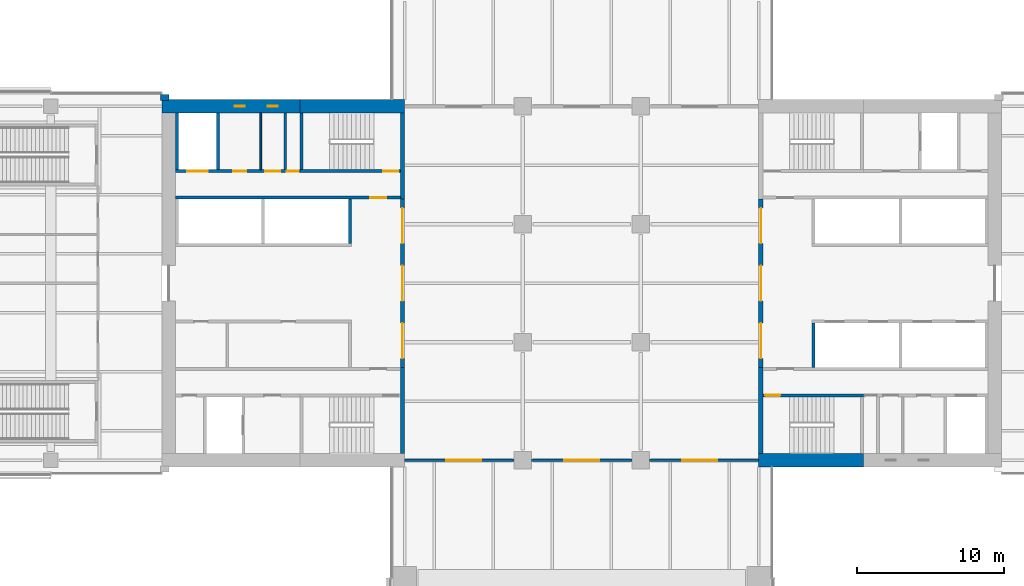
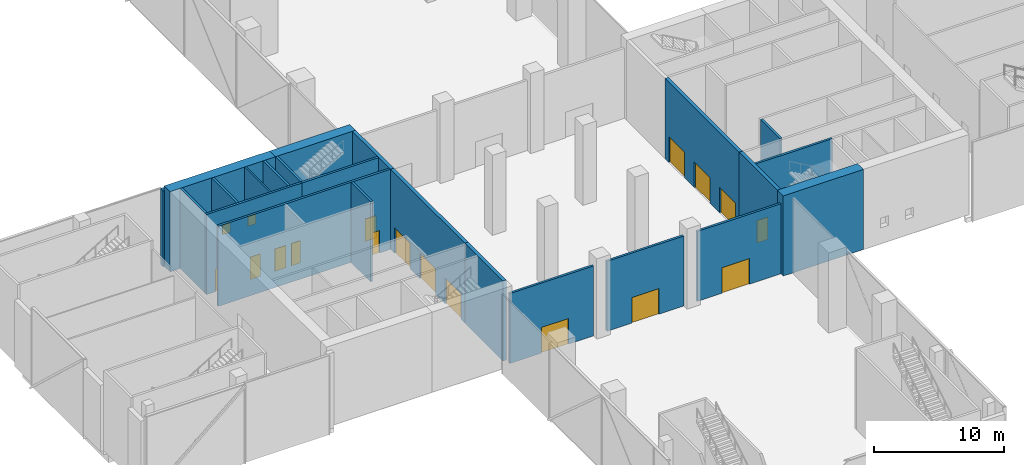
# One storey, part 15 of 25: 23 walls, 16 doors, 2 windows, 18 openings.
"""IFC4 building model written with IfcOpenShell, lengths in metres."""

from ifc_helpers import new_model, si_unit, direction, frame, frame_2d, origin, place, context, subcontext, project, spatial, rectangle, extrude, material, layer, layer_set, constituent, constituent_set, type_object, element, fill, save


model = new_model("IFC4")

# Units and contexts
model_context = context("Model", 3, precision=1e-05, world=origin(), true_north=direction((0.0, 1.0)))
body_context = subcontext(model_context, "Body", "Model", "MODEL_VIEW")
ifc_project = project(units=[si_unit("LENGTHUNIT", "METRE"), si_unit("AREAUNIT", "SQUARE_METRE"), si_unit("VOLUMEUNIT", "CUBIC_METRE"), si_unit("PLANEANGLEUNIT", "RADIAN"), si_unit("MASSUNIT", "GRAM", prefix="KILO")], contexts=[model_context])

# Site, building, storey
site_placement = place(None, origin())
site = spatial("IfcSite", under=ifc_project, at=site_placement, CompositionType="ELEMENT")
building_placement = place(site_placement, origin())
building = spatial("IfcBuilding", under=site, at=building_placement, Name="Crosswind Convention Tower", CompositionType="ELEMENT")
storey_placement = place(building_placement, frame((0.0, 0.0, 10.0)))
storey = spatial("IfcBuildingStorey", under=building, at=storey_placement, Name="L01", CompositionType="ELEMENT", Elevation=10.0)

# Wall
ifc_material_1 = material(Name="Concrete blockwork", Category="masonry")
ifc_layer_1 = layer(ifc_material_1, 0.199951171875)
ifc_layer_set_1 = layer_set([ifc_layer_1], Name="Blockwork partition wall 200")
wall_type_1 = type_object("IfcWallType", Name="Blockwork partition wall 200", PredefinedType="PARTITIONING", material=ifc_layer_set_1)
wall_1_placement = place(storey_placement, frame((104.89990234375, 111.550048828125, 0.0), z_axis=(0.0, 0.0, 1.0), x_axis=(0.0, -1.0, 0.0)))
element("IfcWall", 1, at=wall_1_placement, inside=storey, type_object=wall_type_1, Name="Wall MRSE W L01", PredefinedType="PARTITIONING", context=body_context, shape_type="SweptSolid", body=[
    extrude(rectangle(XDim=3.85009765625, YDim=0.199951171875, at=frame_2d((1.925048828125, 0.0))), origin(), (0.0, 0.0, 1.0), 7.5),
])

# Wall, openings, doors
ifc_material_2 = material(Name="Concrete C50/60", Category="concrete")
ifc_layer_2 = layer(ifc_material_2, 0.300048828125)
ifc_layer_set_2 = layer_set([ifc_layer_2], Name="Concrete C50/60")
wall_type_2 = type_object("IfcWallType", Name="Concrete inner core wall 300", PredefinedType="SHEAR", material=ifc_layer_set_2)
wall_2_placement = place(storey_placement, frame((137.14990234375, 94.300048828125, 0.0), z_axis=(0.0, 0.0, 1.0), x_axis=(0.0, 1.0, 0.0)))
wall_2 = element("IfcWall", 2, at=wall_2_placement, inside=storey, type_object=wall_type_2, Name="Wall SCR E L01", PredefinedType="SHEAR", context=body_context, shape_type="SweptSolid", body=[
    extrude(rectangle(XDim=11.39990234375, YDim=0.300048828125, at=frame_2d((5.699951171875, 0.0))), origin(), (0.0, 0.0, 1.0), 7.5),
])
opening_1_placement = place(wall_2_placement, frame((0.60009765625, 0.0, 0.0)))
opening_1 = element("IfcOpeningElement", 3, at=opening_1_placement, cuts=wall_2, Name="Opening D100", PredefinedType="OPENING", context=body_context, shape_type="SweptSolid", body=[
    extrude(rectangle(XDim=2.39990234375, YDim=2.39990234375, at=frame_2d((1.199951171875, 1.199951171875))), frame((0.0, 0.159912109375, 0.0), z_axis=(0.0, -1.0, 0.0), x_axis=(1.0, 0.0, 0.0)), (0.0, 0.0, 1.0), 0.320068359375),
])
opening_2_placement = place(wall_2_placement, frame((4.5, 0.0, 0.0)))
opening_2 = element("IfcOpeningElement", 4, at=opening_2_placement, cuts=wall_2, Name="Opening D100", PredefinedType="OPENING", context=body_context, shape_type="SweptSolid", body=[
    extrude(rectangle(XDim=2.39990234375, YDim=2.39990234375, at=frame_2d((1.199951171875, 1.199951171875))), frame((0.0, 0.159912109375, 0.0), z_axis=(0.0, -1.0, 0.0), x_axis=(1.0, 0.0, 0.0)), (0.0, 0.0, 1.0), 0.320068359375),
])
opening_3_placement = place(wall_2_placement, frame((8.39990234375, 0.0, 0.0)))
opening_3 = element("IfcOpeningElement", 5, at=opening_3_placement, cuts=wall_2, Name="Opening D100", PredefinedType="OPENING", context=body_context, shape_type="SweptSolid", body=[
    extrude(rectangle(XDim=2.39990234375, YDim=2.39990234375, at=frame_2d((1.199951171875, 1.199951171875))), frame((0.0, 0.159912109375, 0.0), z_axis=(0.0, -1.0, 0.0), x_axis=(1.0, 0.0, 0.0)), (0.0, 0.0, 1.0), 0.320068359375),
])
ifc_material_3 = material(Name="Steel fire door with glazed vision panels", Category="steel")
door_type_1 = type_object("IfcDoorType", Name="Fire-rated double door 2400x2400", OperationType="DOUBLE_DOOR_SINGLE_SWING", PredefinedType="DOOR", material=ifc_material_3)
door_1_placement = place(opening_1_placement, frame((2.39990234375, 0.0, 0.0), z_axis=(0.0, 0.0, 1.0), x_axis=(-1.0, 0.0, 0.0)))
door_1 = element("IfcDoor", 6, at=door_1_placement, inside=storey, type_object=door_type_1, Name="Lobby door 1 L01", ObjectType="D100", OperationType="DOUBLE_DOOR_SINGLE_SWING", OverallHeight=2.39990234375, OverallWidth=2.39990234375, PredefinedType="DOOR", context=body_context, shape_type="SweptSolid", body=[
    extrude(rectangle(XDim=2.39990234375, YDim=2.39990234375, at=frame_2d((1.199951171875, 1.199951171875))), frame((0.0, 0.02490234375, 0.0), z_axis=(0.0, -1.0, 0.0), x_axis=(1.0, 0.0, 0.0)), (0.0, 0.0, 1.0), 0.050048828125),
])
fill(opening_1, door_1)
door_2_placement = place(opening_2_placement, frame((2.39990234375, 0.0, 0.0), z_axis=(0.0, 0.0, 1.0), x_axis=(-1.0, 0.0, 0.0)))
door_2 = element("IfcDoor", 7, at=door_2_placement, inside=storey, type_object=door_type_1, Name="Lobby door 2 L01", ObjectType="D100", OperationType="DOUBLE_DOOR_SINGLE_SWING", OverallHeight=2.39990234375, OverallWidth=2.39990234375, PredefinedType="DOOR", context=body_context, shape_type="SweptSolid", body=[
    extrude(rectangle(XDim=2.39990234375, YDim=2.39990234375, at=frame_2d((1.199951171875, 1.199951171875))), frame((0.0, 0.02490234375, 0.0), z_axis=(0.0, -1.0, 0.0), x_axis=(1.0, 0.0, 0.0)), (0.0, 0.0, 1.0), 0.050048828125),
])
fill(opening_2, door_2)
door_3_placement = place(opening_3_placement, frame((2.39990234375, 0.0, 0.0), z_axis=(0.0, 0.0, 1.0), x_axis=(-1.0, 0.0, 0.0)))
door_3 = element("IfcDoor", 8, at=door_3_placement, inside=storey, type_object=door_type_1, Name="Lobby door 3 L01", ObjectType="D100", OperationType="DOUBLE_DOOR_SINGLE_SWING", OverallHeight=2.39990234375, OverallWidth=2.39990234375, PredefinedType="DOOR", context=body_context, shape_type="SweptSolid", body=[
    extrude(rectangle(XDim=2.39990234375, YDim=2.39990234375, at=frame_2d((1.199951171875, 1.199951171875))), frame((0.0, 0.02490234375, 0.0), z_axis=(0.0, -1.0, 0.0), x_axis=(1.0, 0.0, 0.0)), (0.0, 0.0, 1.0), 0.050048828125),
])
fill(opening_3, door_3)

# Wall
wall_3_placement = place(storey_placement, frame((137.14990234375, 88.449951171875, 0.0), z_axis=(0.0, 0.0, 1.0), x_axis=(0.0, 1.0, 0.0)))
element("IfcWall", 9, at=wall_3_placement, inside=storey, type_object=wall_type_2, Name="Wall EM E L01", PredefinedType="SHEAR", context=body_context, shape_type="SweptSolid", body=[
    extrude(rectangle(XDim=5.85009765625, YDim=0.300048828125, at=frame_2d((2.925048828125, 0.0))), origin(), (0.0, 0.0, 1.0), 7.5),
])

# Wall, openings, doors
wall_4_placement = place(storey_placement, frame((112.85009765625, 105.699951171875, 0.0), z_axis=(0.0, 0.0, 1.0), x_axis=(0.0, -1.0, 0.0)))
wall_4 = element("IfcWall", 10, at=wall_4_placement, inside=storey, type_object=wall_type_2, Name="Wall SCR W L01", PredefinedType="SHEAR", context=body_context, shape_type="SweptSolid", body=[
    extrude(rectangle(XDim=11.39990234375, YDim=0.300048828125, at=frame_2d((5.699951171875, 0.0))), origin(), (0.0, 0.0, 1.0), 7.5),
])
opening_4_placement = place(wall_4_placement, frame((0.60009765625, 0.0, 0.0)))
opening_4 = element("IfcOpeningElement", 11, at=opening_4_placement, cuts=wall_4, Name="Opening D100", PredefinedType="OPENING", context=body_context, shape_type="SweptSolid", body=[
    extrude(rectangle(XDim=2.39990234375, YDim=2.39990234375, at=frame_2d((1.199951171875, 1.199951171875))), frame((0.0, 0.159912109375, 0.0), z_axis=(0.0, -1.0, 0.0), x_axis=(1.0, 0.0, 0.0)), (0.0, 0.0, 1.0), 0.320068359375),
])
opening_5_placement = place(wall_4_placement, frame((4.5, 0.0, 0.0)))
opening_5 = element("IfcOpeningElement", 12, at=opening_5_placement, cuts=wall_4, Name="Opening D100", PredefinedType="OPENING", context=body_context, shape_type="SweptSolid", body=[
    extrude(rectangle(XDim=2.39990234375, YDim=2.39990234375, at=frame_2d((1.199951171875, 1.199951171875))), frame((0.0, 0.159912109375, 0.0), z_axis=(0.0, -1.0, 0.0), x_axis=(1.0, 0.0, 0.0)), (0.0, 0.0, 1.0), 0.320068359375),
])
opening_6_placement = place(wall_4_placement, frame((8.39990234375, 0.0, 0.0)))
opening_6 = element("IfcOpeningElement", 13, at=opening_6_placement, cuts=wall_4, Name="Opening D100", PredefinedType="OPENING", context=body_context, shape_type="SweptSolid", body=[
    extrude(rectangle(XDim=2.39990234375, YDim=2.39990234375, at=frame_2d((1.199951171875, 1.199951171875))), frame((0.0, 0.159912109375, 0.0), z_axis=(0.0, -1.0, 0.0), x_axis=(1.0, 0.0, 0.0)), (0.0, 0.0, 1.0), 0.320068359375),
])
door_4_placement = place(opening_4_placement, frame((2.39990234375, 0.0, 0.0), z_axis=(0.0, 0.0, 1.0), x_axis=(-1.0, 0.0, 0.0)))
door_4 = element("IfcDoor", 14, at=door_4_placement, inside=storey, type_object=door_type_1, Name="Lobby door 1 L01", ObjectType="D100", OperationType="DOUBLE_DOOR_SINGLE_SWING", OverallHeight=2.39990234375, OverallWidth=2.39990234375, PredefinedType="DOOR", context=body_context, shape_type="SweptSolid", body=[
    extrude(rectangle(XDim=2.39990234375, YDim=2.39990234375, at=frame_2d((1.199951171875, 1.199951171875))), frame((0.0, 0.02490234375, 0.0), z_axis=(0.0, -1.0, 0.0), x_axis=(1.0, 0.0, 0.0)), (0.0, 0.0, 1.0), 0.050048828125),
])
fill(opening_4, door_4)
door_5_placement = place(opening_5_placement, frame((2.39990234375, 0.0, 0.0), z_axis=(0.0, 0.0, 1.0), x_axis=(-1.0, 0.0, 0.0)))
door_5 = element("IfcDoor", 15, at=door_5_placement, inside=storey, type_object=door_type_1, Name="Lobby door 2 L01", ObjectType="D100", OperationType="DOUBLE_DOOR_SINGLE_SWING", OverallHeight=2.39990234375, OverallWidth=2.39990234375, PredefinedType="DOOR", context=body_context, shape_type="SweptSolid", body=[
    extrude(rectangle(XDim=2.39990234375, YDim=2.39990234375, at=frame_2d((1.199951171875, 1.199951171875))), frame((0.0, 0.02490234375, 0.0), z_axis=(0.0, -1.0, 0.0), x_axis=(1.0, 0.0, 0.0)), (0.0, 0.0, 1.0), 0.050048828125),
])
fill(opening_5, door_5)
door_6_placement = place(opening_6_placement, frame((2.39990234375, 0.0, 0.0), z_axis=(0.0, 0.0, 1.0), x_axis=(-1.0, 0.0, 0.0)))
door_6 = element("IfcDoor", 16, at=door_6_placement, inside=storey, type_object=door_type_1, Name="Lobby door 3 L01", ObjectType="D100", OperationType="DOUBLE_DOOR_SINGLE_SWING", OverallHeight=2.39990234375, OverallWidth=2.39990234375, PredefinedType="DOOR", context=body_context, shape_type="SweptSolid", body=[
    extrude(rectangle(XDim=2.39990234375, YDim=2.39990234375, at=frame_2d((1.199951171875, 1.199951171875))), frame((0.0, 0.02490234375, 0.0), z_axis=(0.0, -1.0, 0.0), x_axis=(1.0, 0.0, 0.0)), (0.0, 0.0, 1.0), 0.050048828125),
])
fill(opening_6, door_6)

# Walls
for number, where, z_axis, x_axis, name in (
    (17, (112.85009765625, 94.300048828125, 0.0), (0.0, 0.0, 1.0), (0.0, -1.0, 0.0), "Wall EP W L01"),
    (18, (112.85009765625, 111.550048828125, 0.0), (0.0, 0.0, 1.0), (0.0, -1.0, 0.0), "Wall EM W L01"),
):
    element("IfcWall", number, at=place(storey_placement, frame(where, z_axis=z_axis, x_axis=x_axis)), inside=storey, type_object=wall_type_2, Name=name, PredefinedType="SHEAR", context=body_context, shape_type="SweptSolid", body=[
        extrude(rectangle(XDim=5.85009765625, YDim=0.300048828125, at=frame_2d((2.925048828125, 0.0))), origin(), (0.0, 0.0, 1.0), 7.5),
    ])
ifc_layer_3 = layer(ifc_material_2, 0.199951171875)
ifc_layer_set_3 = layer_set([ifc_layer_3], Name="Concrete C50/60")
wall_type_3 = type_object("IfcWallType", Name="Concrete shaft and stair wall 200", PredefinedType="SHEAR", material=ifc_layer_set_3)
wall_5_placement = place(storey_placement, frame((140.699951171875, 94.300048828125, 0.0), z_axis=(0.0, 0.0, 1.0), x_axis=(0.0, 1.0, 0.0)))
element("IfcWall", 19, at=wall_5_placement, inside=storey, type_object=wall_type_3, Name="Wall RMEND E L01", PredefinedType="SHEAR", context=body_context, shape_type="SweptSolid", body=[
    extrude(rectangle(XDim=3.0, YDim=0.199951171875, at=frame_2d((1.5, 0.0))), origin(), (0.0, 0.0, 1.0), 7.5),
])

# Wall, opening, door
wall_6_placement = place(storey_placement, frame((137.300048828125, 92.39990234375, 0.0), z_axis=(0.0, 0.0, 1.0), x_axis=(1.0, 0.0, 0.0)))
wall_6 = element("IfcWall", 20, at=wall_6_placement, inside=storey, type_object=wall_type_3, Name="Wall MCW E L01", PredefinedType="SHEAR", context=body_context, shape_type="SweptSolid", body=[
    extrude(rectangle(XDim=6.800048828125, YDim=0.199951171875, at=frame_2d((3.39990234375, 0.0))), origin(), (0.0, 0.0, 1.0), 7.5),
])
opening_7_placement = place(wall_6_placement, frame((0.14990234375, 0.0, 0.0)))
opening_7 = element("IfcOpeningElement", 21, at=opening_7_placement, cuts=wall_6, Name="Opening D103", PredefinedType="OPENING", context=body_context, shape_type="SweptSolid", body=[
    extrude(rectangle(XDim=1.0, YDim=2.10009765625, at=frame_2d((0.5, 1.050048828125))), frame((0.0, 0.10986328125, 0.0), z_axis=(0.0, -1.0, 0.0), x_axis=(1.0, 0.0, 0.0)), (0.0, 0.0, 1.0), 0.219970703125),
])
ifc_material_4 = material(Name="Steel fire door", Category="steel")
door_type_2 = type_object("IfcDoorType", Name="Fire-rated single door 1000x2100", OperationType="NOTDEFINED", PredefinedType="DOOR", material=ifc_material_4)
door_7_placement = place(opening_7_placement, frame((1.0, 0.0, 0.0), z_axis=(0.0, 0.0, 1.0), x_axis=(-1.0, 0.0, 0.0)))
door_7 = element("IfcDoor", 22, at=door_7_placement, inside=storey, type_object=door_type_2, Name="Stair ST2 door L01", ObjectType="D103", OperationType="SINGLE_SWING_RIGHT", OverallHeight=2.10009765625, OverallWidth=1.0, PredefinedType="DOOR", context=body_context, shape_type="SweptSolid", body=[
    extrude(rectangle(XDim=1.0, YDim=2.10009765625, at=frame_2d((0.5, 1.050048828125))), frame((0.0, 0.02490234375, 0.0), z_axis=(0.0, -1.0, 0.0), x_axis=(1.0, 0.0, 0.0)), (0.0, 0.0, 1.0), 0.050048828125),
])
fill(opening_7, door_7)

# Wall
wall_7_placement = place(storey_placement, frame((109.300048828125, 105.699951171875, 0.0), z_axis=(0.0, 0.0, 1.0), x_axis=(0.0, -1.0, 0.0)))
element("IfcWall", 23, at=wall_7_placement, inside=storey, type_object=wall_type_3, Name="Wall RMEND W L01", PredefinedType="SHEAR", context=body_context, shape_type="SweptSolid", body=[
    extrude(rectangle(XDim=3.0, YDim=0.199951171875, at=frame_2d((1.5, 0.0))), origin(), (0.0, 0.0, 1.0), 7.5),
])

# Wall, opening, door
wall_8_placement = place(storey_placement, frame((112.699951171875, 105.800048828125, 0.0), z_axis=(0.0, 0.0, 1.0), x_axis=(-1.0, 0.0, 0.0)))
wall_8 = element("IfcWall", 24, at=wall_8_placement, inside=storey, type_object=wall_type_3, Name="Wall HM W L01", PredefinedType="SHEAR", context=body_context, shape_type="SweptSolid", body=[
    extrude(rectangle(XDim=15.25, YDim=0.199951171875, at=frame_2d((7.625, 0.0))), origin(), (0.0, 0.0, 1.0), 7.5),
])
opening_8_placement = place(wall_8_placement, frame((0.949951171875, 0.0, 0.0)))
opening_8 = element("IfcOpeningElement", 25, at=opening_8_placement, cuts=wall_8, Name="Opening D104", PredefinedType="OPENING", context=body_context, shape_type="SweptSolid", body=[
    extrude(rectangle(XDim=1.10009765625, YDim=2.10009765625, at=frame_2d((0.550048828125, 1.050048828125))), frame((0.0, 0.10986328125, 0.0), z_axis=(0.0, -1.0, 0.0), x_axis=(1.0, 0.0, 0.0)), (0.0, 0.0, 1.0), 0.219970703125),
])
door_type_3 = type_object("IfcDoorType", Name="Fire-rated single door 1100x2100", OperationType="NOTDEFINED", PredefinedType="DOOR", material=ifc_material_4)
door_8_placement = place(opening_8_placement, frame((1.10009765625, 0.0, 0.0), z_axis=(0.0, 0.0, 1.0), x_axis=(-1.0, 0.0, 0.0)))
door_8 = element("IfcDoor", 26, at=door_8_placement, inside=storey, type_object=door_type_3, Name="Corridor door L01", ObjectType="D104", OperationType="SINGLE_SWING_RIGHT", OverallHeight=2.10009765625, OverallWidth=1.10009765625, PredefinedType="DOOR", context=body_context, shape_type="SweptSolid", body=[
    extrude(rectangle(XDim=1.10009765625, YDim=2.10009765625, at=frame_2d((0.550048828125, 1.050048828125))), frame((0.0, 0.02490234375, 0.0), z_axis=(0.0, -1.0, 0.0), x_axis=(1.0, 0.0, 0.0)), (0.0, 0.0, 1.0), 0.050048828125),
])
fill(opening_8, door_8)

# Walls
for number, where, z_axis, x_axis, name in (
    (27, (106.0, 111.550048828125, 0.0), (0.0, 0.0, 1.0), (0.0, -1.0, 0.0), "Wall MSE W L01"),
    (28, (100.35009765625, 111.550048828125, 0.0), (0.0, 0.0, 1.0), (0.0, -1.0, 0.0), "Wall MFSW W L01"),
    (29, (97.550048828125, 111.550048828125, 0.0), (0.0, 0.0, 1.0), (0.0, -1.0, 0.0), "Wall MFSE W L01"),
):
    element("IfcWall", number, at=place(storey_placement, frame(where, z_axis=z_axis, x_axis=x_axis)), inside=storey, type_object=wall_type_3, Name=name, PredefinedType="SHEAR", context=body_context, shape_type="SweptSolid", body=[
        extrude(rectangle(XDim=3.85009765625, YDim=0.199951171875, at=frame_2d((1.925048828125, 0.0))), origin(), (0.0, 0.0, 1.0), 7.5),
    ])

# Wall, opening, door
wall_9_placement = place(storey_placement, frame((112.699951171875, 107.60009765625, 0.0), z_axis=(0.0, 0.0, 1.0), x_axis=(-1.0, 0.0, 0.0)))
wall_9 = element("IfcWall", 30, at=wall_9_placement, inside=storey, type_object=wall_type_3, Name="Wall MCW W L01", PredefinedType="SHEAR", context=body_context, shape_type="SweptSolid", body=[
    extrude(rectangle(XDim=6.800048828125, YDim=0.199951171875, at=frame_2d((3.39990234375, 0.0))), origin(), (0.0, 0.0, 1.0), 7.5),
])
opening_9_placement = place(wall_9_placement, frame((0.14990234375, 0.0, 0.0)))
opening_9 = element("IfcOpeningElement", 31, at=opening_9_placement, cuts=wall_9, Name="Opening D103", PredefinedType="OPENING", context=body_context, shape_type="SweptSolid", body=[
    extrude(rectangle(XDim=1.0, YDim=2.10009765625, at=frame_2d((0.5, 1.050048828125))), frame((0.0, 0.10986328125, 0.0), z_axis=(0.0, -1.0, 0.0), x_axis=(1.0, 0.0, 0.0)), (0.0, 0.0, 1.0), 0.219970703125),
])
door_9_placement = place(opening_9_placement, frame((1.0, 0.0, 0.0), z_axis=(0.0, 0.0, 1.0), x_axis=(-1.0, 0.0, 0.0)))
door_9 = element("IfcDoor", 32, at=door_9_placement, inside=storey, type_object=door_type_2, Name="Stair ST4 door L01", ObjectType="D103", OperationType="SINGLE_SWING_RIGHT", OverallHeight=2.10009765625, OverallWidth=1.0, PredefinedType="DOOR", context=body_context, shape_type="SweptSolid", body=[
    extrude(rectangle(XDim=1.0, YDim=2.10009765625, at=frame_2d((0.5, 1.050048828125))), frame((0.0, 0.02490234375, 0.0), z_axis=(0.0, -1.0, 0.0), x_axis=(1.0, 0.0, 0.0)), (0.0, 0.0, 1.0), 0.050048828125),
])
fill(opening_9, door_9)

# Wall, openings, doors
wall_10_placement = place(storey_placement, frame((105.89990234375, 107.60009765625, 0.0), z_axis=(0.0, 0.0, 1.0), x_axis=(-1.0, 0.0, 0.0)))
wall_10 = element("IfcWall", 33, at=wall_10_placement, inside=storey, type_object=wall_type_3, Name="Wall MCX W L01", PredefinedType="SHEAR", context=body_context, shape_type="SweptSolid", body=[
    extrude(rectangle(XDim=8.449951171875, YDim=0.199951171875, at=frame_2d((4.22509765625, 0.0))), origin(), (0.0, 0.0, 1.0), 7.5),
])
opening_10_placement = place(wall_10_placement, frame((0.10009765625, 0.0, 0.0)))
opening_10 = element("IfcOpeningElement", 34, at=opening_10_placement, cuts=wall_10, Name="Opening D105", PredefinedType="OPENING", context=body_context, shape_type="SweptSolid", body=[
    extrude(rectangle(XDim=0.800048828125, YDim=2.10009765625, at=frame_2d((0.39990234375, 1.050048828125))), frame((0.0, 0.10986328125, 0.0), z_axis=(0.0, -1.0, 0.0), x_axis=(1.0, 0.0, 0.0)), (0.0, 0.0, 1.0), 0.219970703125),
])
opening_11_placement = place(wall_10_placement, frame((1.351806640625, 0.0, 0.0)))
opening_11 = element("IfcOpeningElement", 35, at=opening_11_placement, cuts=wall_10, Name="Opening D103", PredefinedType="OPENING", context=body_context, shape_type="SweptSolid", body=[
    extrude(rectangle(XDim=1.0, YDim=2.10009765625, at=frame_2d((0.5, 1.050048828125))), frame((0.0, 0.10986328125, 0.0), z_axis=(0.0, -1.0, 0.0), x_axis=(1.0, 0.0, 0.0)), (0.0, 0.0, 1.0), 0.219970703125),
])
opening_12_placement = place(wall_10_placement, frame((3.63916015625, 0.0, 0.0)))
opening_12 = element("IfcOpeningElement", 36, at=opening_12_placement, cuts=wall_10, Name="Opening D106", PredefinedType="OPENING", context=body_context, shape_type="SweptSolid", body=[
    extrude(rectangle(XDim=0.89990234375, YDim=2.10009765625, at=frame_2d((0.449951171875, 1.050048828125))), frame((0.0, 0.10986328125, 0.0), z_axis=(0.0, -1.0, 0.0), x_axis=(1.0, 0.0, 0.0)), (0.0, 0.0, 1.0), 0.219970703125),
])
opening_13_placement = place(wall_10_placement, frame((6.25, 0.0, 0.0)))
opening_13 = element("IfcOpeningElement", 37, at=opening_13_placement, cuts=wall_10, Name="Opening LD2", PredefinedType="OPENING", context=body_context, shape_type="SweptSolid", body=[
    extrude(rectangle(XDim=1.39990234375, YDim=2.10009765625, at=frame_2d((0.699951171875, 1.050048828125))), frame((0.0, 0.10986328125, 0.0), z_axis=(0.0, -1.0, 0.0), x_axis=(1.0, 0.0, 0.0)), (0.0, 0.0, 1.0), 0.219970703125),
])
door_10_placement = place(opening_11_placement, frame((1.0, 0.0, 0.0), z_axis=(0.0, 0.0, 1.0), x_axis=(-1.0, 0.0, 0.0)))
door_10 = element("IfcDoor", 38, at=door_10_placement, inside=storey, type_object=door_type_2, Name="Door to accessible wc L01", ObjectType="D103", OperationType="SINGLE_SWING_LEFT", OverallHeight=2.10009765625, OverallWidth=1.0, PredefinedType="DOOR", context=body_context, shape_type="SweptSolid", body=[
    extrude(rectangle(XDim=1.0, YDim=2.10009765625, at=frame_2d((0.5, 1.050048828125))), frame((0.0, 0.02490234375, 0.0), z_axis=(0.0, -1.0, 0.0), x_axis=(1.0, 0.0, 0.0)), (0.0, 0.0, 1.0), 0.050048828125),
])
fill(opening_11, door_10)
ifc_material_5 = material(Name="Stainless steel", Category="steel")
door_type_4 = type_object("IfcDoorType", Name="Lift landing door 1400x2100", OperationType="DOUBLE_DOOR_SLIDING", PredefinedType="DOOR", material=ifc_material_5)
door_11_placement = place(opening_13_placement, origin())
door_11 = element("IfcDoor", 39, at=door_11_placement, inside=storey, type_object=door_type_4, Name="Landing door SV2 L01", ObjectType="LD2", OperationType="DOUBLE_DOOR_SLIDING", OverallHeight=2.10009765625, OverallWidth=1.39990234375, PredefinedType="DOOR", context=body_context, shape_type="SweptSolid", body=[
    extrude(rectangle(XDim=1.39990234375, YDim=2.10009765625, at=frame_2d((0.699951171875, 1.050048828125))), frame((0.0, 0.02490234375, 0.0), z_axis=(0.0, -1.0, 0.0), x_axis=(1.0, 0.0, 0.0)), (0.0, 0.0, 1.0), 0.050048828125),
])
fill(opening_13, door_11)
door_type_5 = type_object("IfcDoorType", Name="Riser access door 800x2100", OperationType="NOTDEFINED", PredefinedType="DOOR", material=ifc_material_4)
door_12_placement = place(opening_10_placement, frame((0.800048828125, 0.0, 0.0), z_axis=(0.0, 0.0, 1.0), x_axis=(-1.0, 0.0, 0.0)))
door_12 = element("IfcDoor", 40, at=door_12_placement, inside=storey, type_object=door_type_5, Name="Riser door L01", ObjectType="D105", OperationType="SINGLE_SWING_LEFT", OverallHeight=2.10009765625, OverallWidth=0.800048828125, PredefinedType="DOOR", context=body_context, shape_type="SweptSolid", body=[
    extrude(rectangle(XDim=0.800048828125, YDim=2.10009765625, at=frame_2d((0.39990234375, 1.050048828125))), frame((0.0, 0.02490234375, 0.0), z_axis=(0.0, -1.0, 0.0), x_axis=(1.0, 0.0, 0.0)), (0.0, 0.0, 1.0), 0.050048828125),
])
fill(opening_10, door_12)
ifc_material_6 = material(Name="Timber door", Category="wood")
door_type_6 = type_object("IfcDoorType", Name="Single leaf door 900x2100", OperationType="NOTDEFINED", PredefinedType="DOOR", material=ifc_material_6)
door_13_placement = place(opening_12_placement, frame((0.89990234375, 0.0, 0.0), z_axis=(0.0, 0.0, 1.0), x_axis=(-1.0, 0.0, 0.0)))
door_13 = element("IfcDoor", 41, at=door_13_placement, inside=storey, type_object=door_type_6, Name="Door to wc L01", ObjectType="D106", OperationType="SINGLE_SWING_LEFT", OverallHeight=2.10009765625, OverallWidth=0.89990234375, PredefinedType="DOOR", context=body_context, shape_type="SweptSolid", body=[
    extrude(rectangle(XDim=0.89990234375, YDim=2.10009765625, at=frame_2d((0.449951171875, 1.050048828125))), frame((0.0, 0.02490234375, 0.0), z_axis=(0.0, -1.0, 0.0), x_axis=(1.0, 0.0, 0.0)), (0.0, 0.0, 1.0), 0.050048828125),
])
fill(opening_12, door_13)

# Wall
ifc_material_7 = material(Name="Gypsum plasterboard partition", Category="gypsum")
ifc_layer_4 = layer(ifc_material_7, 0.125)
ifc_layer_set_4 = layer_set([ifc_layer_4], Name="Drywall partition wall 125")
wall_type_4 = type_object("IfcWallType", Name="Drywall partition wall 125", PredefinedType="PARTITIONING", material=ifc_layer_set_4)
wall_11_placement = place(storey_placement, frame((103.23388671875, 111.550048828125, 0.0), z_axis=(0.0, 0.0, 1.0), x_axis=(0.0, -1.0, 0.0)))
element("IfcWall", 42, at=wall_11_placement, inside=storey, type_object=wall_type_4, Name="Wall MWP1 W L01", PredefinedType="PARTITIONING", context=body_context, shape_type="SweptSolid", body=[
    extrude(rectangle(XDim=3.85009765625, YDim=0.125, at=frame_2d((1.925048828125, 0.0))), origin(), (0.0, 0.0, 1.0), 7.5),
])

# Wall, opening, door
ifc_material_8 = material(Name="Double plasterboard partition", Category="gypsum")
ifc_layer_5 = layer(ifc_material_8, 0.199951171875)
ifc_layer_set_5 = layer_set([ifc_layer_5], Name="HALL WALL 200")
wall_type_5 = type_object("IfcWallType", Name="HALL WALL 200", PredefinedType="PARTITIONING", material=ifc_layer_set_5)
wall_12_placement = place(storey_placement, frame((113.0, 88.0, 0.0), z_axis=(0.0, 0.0, 1.0), x_axis=(1.0, 0.0, 0.0)))
wall_12 = element("IfcWall", 43, at=wall_12_placement, inside=storey, type_object=wall_type_5, Name="Hall Wall 5", PredefinedType="PARTITIONING", context=body_context, shape_type="SweptSolid", body=[
    extrude(rectangle(XDim=7.39990234375, YDim=0.199951171875, at=frame_2d((3.699951171875, 0.0))), origin(), (0.0, 0.0, 1.0), 6.551025390625),
])
opening_14_placement = place(wall_12_placement, frame((2.800048828125, 0.0, 0.0)))
opening_14 = element("IfcOpeningElement", 44, at=opening_14_placement, cuts=wall_12, Name="Opening 01.002", PredefinedType="OPENING", context=body_context, shape_type="SweptSolid", body=[
    extrude(rectangle(XDim=2.39990234375, YDim=2.39990234375, at=frame_2d((1.199951171875, 1.199951171875))), frame((0.0, 0.10986328125, 0.0), z_axis=(0.0, -1.0, 0.0), x_axis=(1.0, 0.0, 0.0)), (0.0, 0.0, 1.0), 0.219970703125),
])
ifc_material_9 = material(Name="Timber fire door", Category="wood")
door_type_7 = type_object("IfcDoorType", Name="BALLROOM DOUBLE DOOR 2400X2400", OperationType="DOUBLE_DOOR_SINGLE_SWING", PredefinedType="DOOR", material=ifc_material_9)
door_14_placement = place(opening_14_placement, origin())
door_14 = element("IfcDoor", 45, at=door_14_placement, inside=storey, type_object=door_type_7, Name="Door 01.002", ObjectType="D8", OperationType="DOUBLE_DOOR_SINGLE_SWING", OverallHeight=2.39990234375, OverallWidth=2.39990234375, PredefinedType="DOOR", context=body_context, shape_type="SweptSolid", body=[
    extrude(rectangle(XDim=2.39990234375, YDim=2.39990234375, at=frame_2d((1.199951171875, 1.199951171875))), frame((0.0, 0.02490234375, 0.0), z_axis=(0.0, -1.0, 0.0), x_axis=(1.0, 0.0, 0.0)), (0.0, 0.0, 1.0), 0.050048828125),
])
fill(opening_14, door_14)

wall_13_placement = place(storey_placement, frame((121.60009765625, 88.0, 0.0), z_axis=(0.0, 0.0, 1.0), x_axis=(1.0, 0.0, 0.0)))
wall_13 = element("IfcWall", 46, at=wall_13_placement, inside=storey, type_object=wall_type_5, Name="Hall Wall 6", PredefinedType="PARTITIONING", context=body_context, shape_type="SweptSolid", body=[
    extrude(rectangle(XDim=6.7998046875, YDim=0.199951171875, at=frame_2d((3.39990234375, 0.0))), origin(), (0.0, 0.0, 1.0), 6.555419921875),
])
opening_15_placement = place(wall_13_placement, frame((2.199951171875, 0.0, 0.0)))
opening_15 = element("IfcOpeningElement", 47, at=opening_15_placement, cuts=wall_13, Name="Opening 01.004", PredefinedType="OPENING", context=body_context, shape_type="SweptSolid", body=[
    extrude(rectangle(XDim=2.39990234375, YDim=2.39990234375, at=frame_2d((1.199951171875, 1.199951171875))), frame((0.0, 0.10986328125, 0.0), z_axis=(0.0, -1.0, 0.0), x_axis=(1.0, 0.0, 0.0)), (0.0, 0.0, 1.0), 0.219970703125),
])
door_15_placement = place(opening_15_placement, origin())
door_15 = element("IfcDoor", 48, at=door_15_placement, inside=storey, type_object=door_type_7, Name="Door 01.004", ObjectType="D8", OperationType="DOUBLE_DOOR_SINGLE_SWING", OverallHeight=2.39990234375, OverallWidth=2.39990234375, PredefinedType="DOOR", context=body_context, shape_type="SweptSolid", body=[
    extrude(rectangle(XDim=2.39990234375, YDim=2.39990234375, at=frame_2d((1.199951171875, 1.199951171875))), frame((0.0, 0.02490234375, 0.0), z_axis=(0.0, -1.0, 0.0), x_axis=(1.0, 0.0, 0.0)), (0.0, 0.0, 1.0), 0.050048828125),
])
fill(opening_15, door_15)

wall_14_placement = place(storey_placement, frame((129.60009765625, 88.0, 0.0), z_axis=(0.0, 0.0, 1.0), x_axis=(1.0, 0.0, 0.0)))
wall_14 = element("IfcWall", 49, at=wall_14_placement, inside=storey, type_object=wall_type_5, Name="Hall Wall 7", PredefinedType="PARTITIONING", context=body_context, shape_type="SweptSolid", body=[
    extrude(rectangle(XDim=7.39990234375, YDim=0.199951171875, at=frame_2d((3.699951171875, 0.0))), origin(), (0.0, 0.0, 1.0), 6.551025390625),
])
opening_16_placement = place(wall_14_placement, frame((2.199951171875, 0.0, 0.0)))
opening_16 = element("IfcOpeningElement", 50, at=opening_16_placement, cuts=wall_14, Name="Opening 01.006", PredefinedType="OPENING", context=body_context, shape_type="SweptSolid", body=[
    extrude(rectangle(XDim=2.39990234375, YDim=2.39990234375, at=frame_2d((1.199951171875, 1.199951171875))), frame((0.0, 0.10986328125, 0.0), z_axis=(0.0, -1.0, 0.0), x_axis=(1.0, 0.0, 0.0)), (0.0, 0.0, 1.0), 0.219970703125),
])
door_16_placement = place(opening_16_placement, origin())
door_16 = element("IfcDoor", 51, at=door_16_placement, inside=storey, type_object=door_type_7, Name="Door 01.006", ObjectType="D8", OperationType="DOUBLE_DOOR_SINGLE_SWING", OverallHeight=2.39990234375, OverallWidth=2.39990234375, PredefinedType="DOOR", context=body_context, shape_type="SweptSolid", body=[
    extrude(rectangle(XDim=2.39990234375, YDim=2.39990234375, at=frame_2d((1.199951171875, 1.199951171875))), frame((0.0, 0.02490234375, 0.0), z_axis=(0.0, -1.0, 0.0), x_axis=(1.0, 0.0, 0.0)), (0.0, 0.0, 1.0), 0.050048828125),
])
fill(opening_16, door_16)

# Walls
ifc_material_10 = material(Name="Terracotta rainscreen", Category="ceramic")
ifc_layer_6 = layer(ifc_material_10, 0.02001953125)
ifc_material_11 = material(Name="Mineral wool insulation", Category="insulation")
ifc_layer_7 = layer(ifc_material_11, 0.10009765625)
ifc_layer_8 = layer(ifc_material_1, 0.285888671875)
ifc_layer_set_6 = layer_set([ifc_layer_6, ifc_layer_7, ifc_layer_8], Name="TERRACOTTA CORNER INFILL WALL 406")
wall_type_6 = type_object("IfcWallType", Name="TERRACOTTA CORNER INFILL WALL 406", PredefinedType="SOLIDWALL", material=ifc_layer_set_6)
wall_15_placement = place(storey_placement, frame((96.445068359375, 112.596923828125, 0.0), z_axis=(0.0, 0.0, 1.0), x_axis=(1.0, 0.0, 0.0)))
element("IfcWall", 52, at=wall_15_placement, inside=storey, type_object=wall_type_6, Name="Core corner infill wall L01 2", PredefinedType="SOLIDWALL", context=body_context, shape_type="SweptSolid", body=[
    extrude(rectangle(XDim=0.554931640625, YDim=0.406005859375, at=frame_2d((0.27734375, 0.0))), origin(), (0.0, 0.0, 1.0), 7.10009765625),
])
ifc_material_12 = material(Name="Concrete C60/75", Category="concrete")
ifc_constituent_1 = constituent(ifc_material_12, Name="Structure")
ifc_constituent_2 = constituent(ifc_material_10, Name="Facing")
ifc_constituent_set = constituent_set(constituents=[ifc_constituent_1, ifc_constituent_2], Name="Concrete C60/75, Terracotta rainscreen")
wall_type_7 = type_object("IfcWallType", Name="Terracotta rainscreen on concrete core wall 900", PredefinedType="SHEAR", material=ifc_constituent_set)
for number, where, z_axis, x_axis, name in (
    (53, (137.0, 88.0, 0.0), (0.0, 0.0, 1.0), (1.0, 0.0, 0.0), "Wall S1 E L01"),
    (54, (113.0, 112.0, 0.0), (0.0, 0.0, 1.0), (-1.0, 0.0, 0.0), "Wall S1 W L01"),
):
    element("IfcWall", number, at=place(storey_placement, frame(where, z_axis=z_axis, x_axis=x_axis)), inside=storey, type_object=wall_type_7, Name=name, PredefinedType="SHEAR", context=body_context, shape_type="SweptSolid", body=[
        extrude(rectangle(XDim=7.10009765625, YDim=0.89990234375, at=frame_2d((3.550048828125, 0.0))), origin(), (0.0, 0.0, 1.0), 7.5),
    ])

# Wall, openings, windows
wall_16_placement = place(storey_placement, frame((105.89990234375, 112.0, 0.0), z_axis=(0.0, 0.0, 1.0), x_axis=(-1.0, 0.0, 0.0)))
wall_16 = element("IfcWall", 55, at=wall_16_placement, inside=storey, type_object=wall_type_7, Name="Wall S2 W L01", PredefinedType="SHEAR", context=body_context, shape_type="SweptSolid", body=[
    extrude(rectangle(XDim=9.349853515625, YDim=0.89990234375, at=frame_2d((4.6748046875, 0.0))), origin(), (0.0, 0.0, 1.0), 7.5),
])
opening_17_placement = place(wall_16_placement, frame((1.501708984375, 0.0, 1.5)))
opening_17 = element("IfcOpeningElement", 56, at=opening_17_placement, cuts=wall_16, Name="Opening W2", PredefinedType="OPENING", context=body_context, shape_type="SweptSolid", body=[
    extrude(rectangle(XDim=0.699951171875, YDim=0.89990234375, at=frame_2d((0.35009765625, 0.449951171875))), frame((0.0, 0.4599609375, 0.0), z_axis=(0.0, -1.0, 0.0), x_axis=(1.0, 0.0, 0.0)), (0.0, 0.0, 1.0), 0.919921875),
])
opening_18_placement = place(wall_16_placement, frame((3.7392578125, 0.0, 1.5)))
opening_18 = element("IfcOpeningElement", 57, at=opening_18_placement, cuts=wall_16, Name="Opening W2", PredefinedType="OPENING", context=body_context, shape_type="SweptSolid", body=[
    extrude(rectangle(XDim=0.699951171875, YDim=0.89990234375, at=frame_2d((0.35009765625, 0.449951171875))), frame((0.0, 0.4599609375, 0.0), z_axis=(0.0, -1.0, 0.0), x_axis=(1.0, 0.0, 0.0)), (0.0, 0.0, 1.0), 0.919921875),
])
ifc_material_13 = material(Name="Obscure glass in aluminium frame", Category="aluminium")
window_type = type_object("IfcWindowType", Name="WC window 700x900", PartitioningType="SINGLE_PANEL", PredefinedType="WINDOW", material=ifc_material_13)
window_1_placement = place(opening_17_placement, origin())
window_1 = element("IfcWindow", 58, at=window_1_placement, inside=storey, type_object=window_type, Name="WC window L01", ObjectType="W2", OverallHeight=0.89990234375, OverallWidth=0.699951171875, PartitioningType="SINGLE_PANEL", PredefinedType="WINDOW", context=body_context, shape_type="SweptSolid", body=[
    extrude(rectangle(XDim=0.699951171875, YDim=0.89990234375, at=frame_2d((0.35009765625, 0.449951171875))), frame((0.0, 0.030029296875, 0.0), z_axis=(0.0, -1.0, 0.0), x_axis=(1.0, 0.0, 0.0)), (0.0, 0.0, 1.0), 0.06005859375),
])
fill(opening_17, window_1)
window_2_placement = place(opening_18_placement, origin())
window_2 = element("IfcWindow", 59, at=window_2_placement, inside=storey, type_object=window_type, Name="WC window L01", ObjectType="W2", OverallHeight=0.89990234375, OverallWidth=0.699951171875, PartitioningType="SINGLE_PANEL", PredefinedType="WINDOW", context=body_context, shape_type="SweptSolid", body=[
    extrude(rectangle(XDim=0.699951171875, YDim=0.89990234375, at=frame_2d((0.35009765625, 0.449951171875))), frame((0.0, 0.030029296875, 0.0), z_axis=(0.0, -1.0, 0.0), x_axis=(1.0, 0.0, 0.0)), (0.0, 0.0, 1.0), 0.06005859375),
])
fill(opening_18, window_2)

save(model, "model.ifc")
